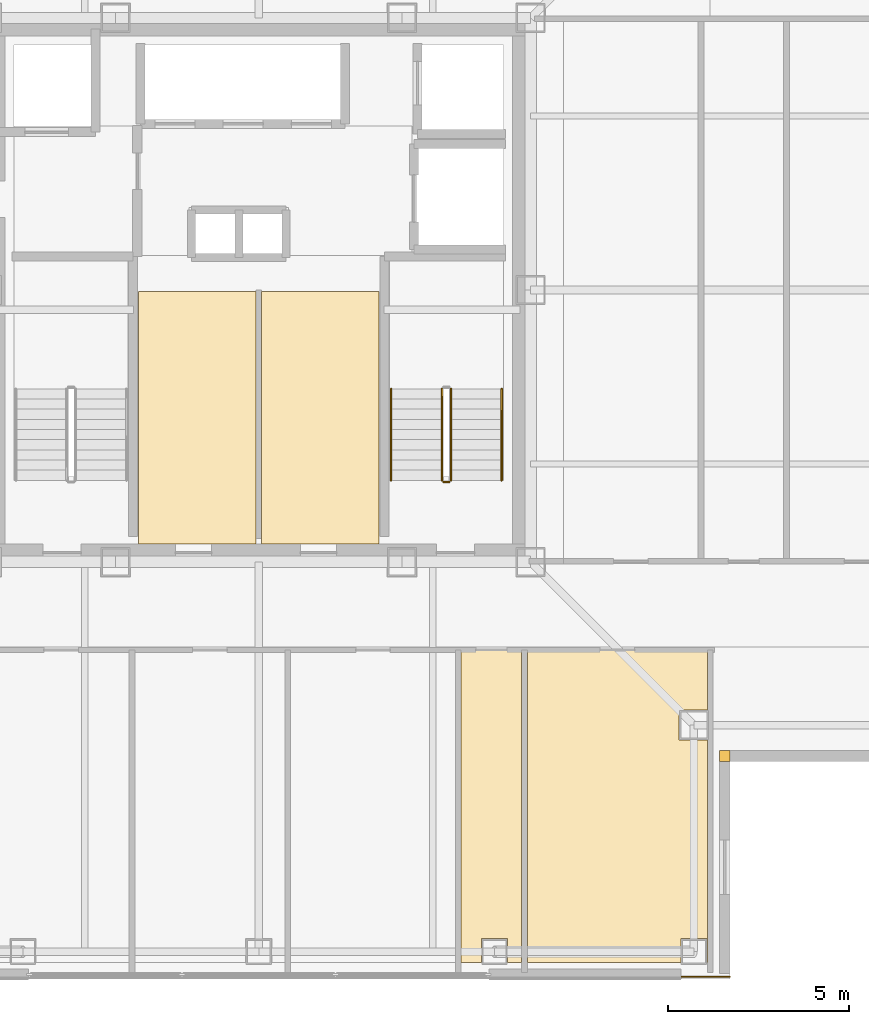
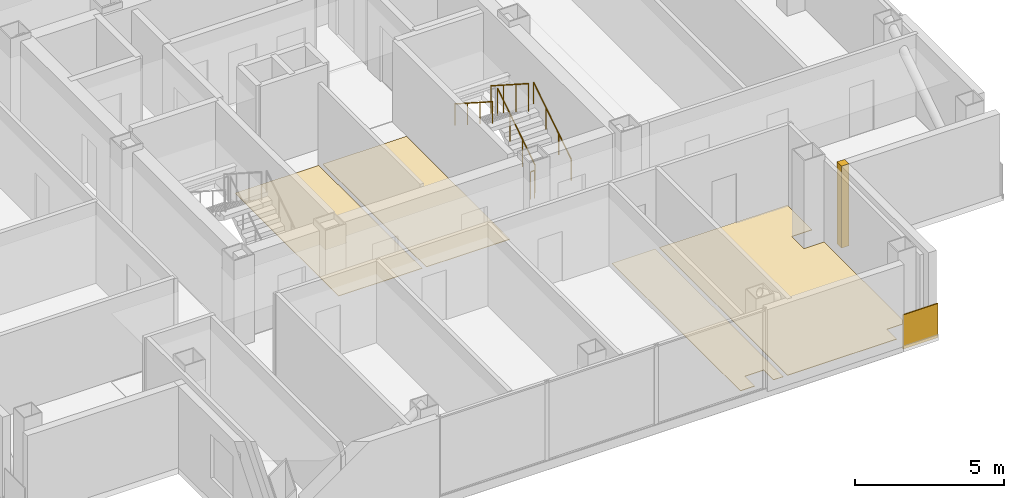
# One storey, part 12 of 16: 6 coverings, 5 railings.
"""IFC4 building model written with IfcOpenShell, lengths in metres."""

import ifcopenshell
import ifcopenshell.guid

model = None  # the IFC model being written
_history = None  # IfcOwnerHistory: only IFC2X3 demands one
_inside = {}  # id of a spatial element -> (the spatial element, [elements in it])
_under = {}  # id of a project, library or spatial element -> (it, [spatial elements below it])
_declared = {}  # id of a project -> (the project, [libraries it declares])
_typed = {}  # id of a type object -> (the type object, [elements of that type])
_made_of = {}  # id of a material, layer set ... -> (it, [elements and type objects made of it])


def new_model(schema):
    """Start an empty IFC model of exactly this schema.

    Asked for "IFC4X3", IfcOpenShell would pick the latest addendum, in which some entities
    have other attributes; the version numbers below select the first issue.
    IFC2X3 requires an IfcOwnerHistory on every rooted entity: one is made here for all.
    """
    global model, _history
    if schema == "IFC4X3":
        model = ifcopenshell.file(schema_version=(4, 3, 0, 0))
    else:
        model = ifcopenshell.file(schema=schema)
    _inside.clear()
    _under.clear()
    _declared.clear()
    _typed.clear()
    _made_of.clear()
    _history = None
    if model.schema == "IFC2X3":
        org = make("IfcOrganization", Name="unknown")
        user = make(
            "IfcPersonAndOrganization",
            ThePerson=make("IfcPerson", FamilyName="unknown"),
            TheOrganization=org,
        )
        app = make(
            "IfcApplication",
            ApplicationDeveloper=org,
            Version="unknown",
            ApplicationFullName="unknown",
            ApplicationIdentifier="unknown",
        )
        _history = make(
            "IfcOwnerHistory",
            OwningUser=user,
            OwningApplication=app,
            ChangeAction="ADDED",
            CreationDate=0,
        )
    return model


def make(cls, **values):
    """One entity of the class cls with the attributes given. An attribute that is None is left unset."""
    return model.create_entity(
        cls, **{name: value for name, value in values.items() if value is not None}
    )


def rooted(cls, **values):
    """An entity with a GlobalId (a new one), such as an element, a storey or a relation."""
    return make(cls, GlobalId=ifcopenshell.guid.new(), OwnerHistory=_history, **values)


def si_unit(unit_type, name, prefix=None):
    """IfcSIUnit, for example si_unit("LENGTHUNIT", "METRE", prefix="MILLI")."""
    return make("IfcSIUnit", UnitType=unit_type, Prefix=prefix, Name=name)


def assignment(units):
    """IfcUnitAssignment: the units of a project."""
    return None if units is None else make("IfcUnitAssignment", Units=units)


def point(xyz):
    """IfcCartesianPoint."""
    return None if xyz is None else make("IfcCartesianPoint", Coordinates=xyz)


def direction(xyz):
    """IfcDirection."""
    return None if xyz is None else make("IfcDirection", DirectionRatios=xyz)


def frame(location, z_axis=None, x_axis=None):
    """IfcAxis2Placement3D, a coordinate frame: its origin and axes. An axis left out is left unset."""
    return make(
        "IfcAxis2Placement3D",
        Location=point(location),
        Axis=direction(z_axis),
        RefDirection=direction(x_axis),
    )


def frame_2d(location, x_axis=None):
    """IfcAxis2Placement2D, a coordinate frame in the plane: its origin and x axis."""
    return make(
        "IfcAxis2Placement2D", Location=point(location), RefDirection=direction(x_axis)
    )


def origin():
    """The frame at (0, 0, 0) with its axes left unset."""
    return frame((0.0, 0.0, 0.0))


def origin_2d():
    """The frame at (0, 0) in the plane with its x axis left unset."""
    return frame_2d((0.0, 0.0))


def place(relative_to, where):
    """IfcLocalPlacement: puts the frame where relative to a parent placement (None: the world)."""
    return make(
        "IfcLocalPlacement", PlacementRelTo=relative_to, RelativePlacement=where
    )


def context(
    kind, dimensions, precision=None, world=None, true_north=None, identifier=None
):
    """IfcGeometricRepresentationContext, for example the 3D "Model" context."""
    return make(
        "IfcGeometricRepresentationContext",
        ContextIdentifier=identifier,
        ContextType=kind,
        CoordinateSpaceDimension=dimensions,
        Precision=precision,
        WorldCoordinateSystem=world,
        TrueNorth=true_north,
    )


def subcontext(parent, identifier, kind, view, scale=None):
    """IfcGeometricRepresentationSubContext, for example "Body" below "Model"."""
    return make(
        "IfcGeometricRepresentationSubContext",
        ContextIdentifier=identifier,
        ContextType=kind,
        ParentContext=parent,
        TargetScale=scale,
        TargetView=view,
    )


def project(units=None, contexts=None):
    """IfcProject with its units and contexts."""
    return rooted(
        "IfcProject",
        Name="project",
        RepresentationContexts=contexts,
        UnitsInContext=assignment(units),
    )


def spatial(cls, under=None, at=None, **own):
    """A site, building, storey or space (cls), placed at a placement, below another one or the project."""
    s = rooted(cls, ObjectPlacement=at, **own)
    if under is not None:
        _under.setdefault(under.id(), (under, []))[1].append(s)
    return s


def polyline(points):
    """IfcPolyline through the points."""
    return make("IfcPolyline", Points=[point(p) for p in points])


def profile(cls, at=None, kind="AREA", **sizes):
    """A parametric profile (cls). Its sizes go by their IFC names, for example OverallWidth=200.0."""
    return make(cls, ProfileType=kind, Position=at, **sizes)


def rectangle(**sizes):
    """IfcRectangleProfileDef."""
    return profile("IfcRectangleProfileDef", **sizes)


def circle(**sizes):
    """IfcCircleProfileDef."""
    return profile("IfcCircleProfileDef", **sizes)


def outline(outer, holes=None, kind="AREA"):
    """IfcArbitraryClosedProfileDef: a profile drawn as a closed curve; with holes, ...WithVoids."""
    if holes is None:
        return make("IfcArbitraryClosedProfileDef", ProfileType=kind, OuterCurve=outer)
    return make(
        "IfcArbitraryProfileDefWithVoids",
        ProfileType=kind,
        OuterCurve=outer,
        InnerCurves=holes,
    )


def extrude(swept, where, along, depth):
    """IfcExtrudedAreaSolid: the profile swept, set in the frame where, extruded along a direction by depth."""
    return make(
        "IfcExtrudedAreaSolid",
        SweptArea=swept,
        Position=where,
        ExtrudedDirection=direction(along),
        Depth=depth,
    )


def shape(context_of_items, identifier, shape_type, items):
    """IfcShapeRepresentation: the items that make up one representation, for example the "Body"."""
    return make(
        "IfcShapeRepresentation",
        ContextOfItems=context_of_items,
        RepresentationIdentifier=identifier,
        RepresentationType=shape_type,
        Items=items,
    )


def material(Name=None, Category=None):
    """IfcMaterial."""
    return make("IfcMaterial", Name=Name, Category=Category)


def layer(
    of_material, thickness, ventilated=None, Name=None, Category=None, Priority=None
):
    """IfcMaterialLayer: one layer of a wall or slab, of a material (None: an air gap)."""
    return make(
        "IfcMaterialLayer",
        Material=of_material,
        LayerThickness=thickness,
        IsVentilated=ventilated,
        Name=Name,
        Category=Category,
        Priority=Priority,
    )


def layer_set(layers, Name=None):
    """IfcMaterialLayerSet."""
    return make("IfcMaterialLayerSet", MaterialLayers=layers, LayerSetName=Name)


def made_of(thing, what):
    """Note that an element or type object is made of a material, layer set ...; save() writes the relation."""
    if what is not None:
        _made_of.setdefault(what.id(), (what, []))[1].append(thing)
    return thing


def type_object(cls, material=None, **own):
    """A type object (cls), such as IfcWallType, which elements share."""
    return made_of(rooted(cls, **own), material)


def element(
    cls,
    number,
    at=None,
    inside=None,
    cuts=None,
    type_object=None,
    material=None,
    context=None,
    identifier="Body",
    shape_type=None,
    held_by="IfcProductDefinitionShape",
    body=None,
    shapes=None,
    **own,
):
    """One element of the class cls, such as IfcWall. Its Tag is "e" and its number.

    at: its placement. inside: the storey or other place that contains it. cuts: it is an
    opening in that element (IfcRelVoidsElement). A single representation is given by context,
    identifier, shape_type and body (its items); several are given by shapes. held_by: the class
    of the entity that holds the representations. save() writes the other relations.
    """
    e = rooted(cls, Tag="e%d" % number, ObjectPlacement=at, **own)
    if body is not None:
        shapes = [shape(context, identifier, shape_type, body)]
    if shapes is not None:
        e.Representation = make(held_by, Representations=shapes)
    if inside is not None:
        _inside.setdefault(inside.id(), (inside, []))[1].append(e)
    if cuts is not None:
        rooted(
            "IfcRelVoidsElement", RelatingBuildingElement=cuts, RelatedOpeningElement=e
        )
    if type_object is not None:
        _typed.setdefault(type_object.id(), (type_object, []))[1].append(e)
    return made_of(e, material)


def aggregate(whole, parts):
    """IfcRelAggregates: a whole, such as a stair, and the parts it consists of."""
    return rooted("IfcRelAggregates", RelatingObject=whole, RelatedObjects=parts)


def save(model, path):
    """Write the relations noted so far, then the file.

    IfcRelAggregates (storeys below a building ...), IfcRelContainedInSpatialStructure (elements
    in a storey), IfcRelDefinesByType, IfcRelAssociatesMaterial and IfcRelDeclares: one each for
    every whole, place, type object, material and project.
    """
    for whole, parts in _under.values():
        aggregate(whole, parts)
    for where, things in _inside.values():
        rooted(
            "IfcRelContainedInSpatialStructure",
            RelatedElements=things,
            RelatingStructure=where,
        )
    for kind, things in _typed.values():
        rooted("IfcRelDefinesByType", RelatedObjects=things, RelatingType=kind)
    for what, things in _made_of.values():
        rooted("IfcRelAssociatesMaterial", RelatedObjects=things, RelatingMaterial=what)
    for by, libraries in _declared.values():
        rooted("IfcRelDeclares", RelatingContext=by, RelatedDefinitions=libraries)
    model.write(path)


model = new_model("IFC4")

# Units and contexts
model_context = context("Model", 3, precision=1e-05, world=origin(), true_north=direction((0.0, 1.0)))
body_context = subcontext(model_context, "Body", "Model", "MODEL_VIEW")
ifc_project = project(units=[si_unit("LENGTHUNIT", "METRE"), si_unit("AREAUNIT", "SQUARE_METRE"), si_unit("VOLUMEUNIT", "CUBIC_METRE"), si_unit("PLANEANGLEUNIT", "RADIAN"), si_unit("MASSUNIT", "GRAM", prefix="KILO")], contexts=[model_context])

# Site, building, storey
site_placement = place(None, origin())
site = spatial("IfcSite", under=ifc_project, at=site_placement, CompositionType="ELEMENT")
building_placement = place(site_placement, origin())
building = spatial("IfcBuilding", under=site, at=building_placement, Name="Trevonay Congress Spire", CompositionType="ELEMENT")
storey_placement = place(building_placement, frame((0.0, 0.0, 290.0)))
storey = spatial("IfcBuildingStorey", under=building, at=storey_placement, Name="L76", CompositionType="ELEMENT", Elevation=290.0)

# Coverings
ifc_material_1 = material(Name="Polished Granite Floor Tile", Category="masonry")
ifc_layer_1 = layer(ifc_material_1, 0.02001953125, Name="Polished Granite Floor Tile")
ifc_layer_set_1 = layer_set([ifc_layer_1], Name="Polished Granite Floor Tile")
covering_type_1 = type_object("IfcCoveringType", Name="COV-FLOOR-STONE", PredefinedType="FLOORING", material=ifc_layer_set_1)
covering_1_placement = place(storey_placement, origin())
element("IfcCovering", 1, at=covering_1_placement, inside=storey, type_object=covering_type_1, Name="L76 Core Server and IT Hub floor finish", PredefinedType="FLOORING", context=body_context, shape_type="SweptSolid", body=[
    extrude(outline(polyline([(-3.320068359375, -7.0), (-0.080078125, -7.0), (-0.080078125, -0.050048828125), (-3.320068359375, -0.050048828125), (-3.320068359375, -7.0)])), origin(), (0.0, 0.0, 1.0), 0.02001953125),
])
covering_2_placement = place(storey_placement, origin())
element("IfcCovering", 2, at=covering_2_placement, inside=storey, type_object=covering_type_1, Name="L76 Core Document Archive Room floor finish", PredefinedType="FLOORING", context=body_context, shape_type="SweptSolid", body=[
    extrude(outline(polyline([(0.080078125, -7.0), (3.320068359375, -7.0), (3.320068359375, -0.050048828125), (0.080078125, -0.050048828125), (0.080078125, -7.0)])), origin(), (0.0, 0.0, 1.0), 0.02001953125),
])
covering_3_placement = place(storey_placement, origin())
element("IfcCovering", 3, at=covering_3_placement, inside=storey, type_object=covering_type_1, Name="L76 Accessible WC floor finish", PredefinedType="FLOORING", context=body_context, shape_type="SweptSolid", body=[
    extrude(outline(polyline([(5.580078125, -18.550048828125), (5.580078125, -9.929931640625), (7.25, -9.929931640625), (7.25, -18.550048828125), (6.860107421875, -18.550048828125), (6.860107421875, -17.889892578125), (6.139892578125, -17.889892578125), (6.139892578125, -18.550048828125), (5.580078125, -18.550048828125)])), origin(), (0.0, 0.0, 1.0), 0.02001953125),
])
covering_4_placement = place(storey_placement, origin())
element("IfcCovering", 4, at=covering_4_placement, inside=storey, type_object=covering_type_1, Name="L76 Floor Supplies and Copy Room floor finish", PredefinedType="FLOORING", context=body_context, shape_type="SweptSolid", body=[
    extrude(outline(polyline([(7.409912109375, -18.550048828125), (7.409912109375, -9.929931640625), (12.3701171875, -9.929931640625), (12.3701171875, -11.590087890625), (11.590087890625, -11.590087890625), (11.590087890625, -12.409912109375), (12.3701171875, -12.409912109375), (12.3701171875, -18.550048828125), (12.360107421875, -18.550048828125), (12.360107421875, -17.889892578125), (11.639892578125, -17.889892578125), (11.639892578125, -18.550048828125), (7.409912109375, -18.550048828125)])), origin(), (0.0, 0.0, 1.0), 0.02001953125),
])
ifc_material_2 = material(Name="Pale Anodised Aluminium EN AW-6063-T6", Category="aluminium")
ifc_layer_2 = layer(ifc_material_2, 0.0400390625, Name="Pale Anodised Aluminium EN AW-6063-T6")
ifc_layer_set_2 = layer_set([ifc_layer_2], Name="Pale Anodised Aluminium EN AW-6063-T6")
covering_type_2 = type_object("IfcCoveringType", Name="COV-SPANDREL-PALE-METAL", PredefinedType="CLADDING", material=ifc_layer_set_2)
covering_5_placement = place(storey_placement, origin())
element("IfcCovering", 5, at=covering_5_placement, inside=storey, type_object=covering_type_2, Name="L76 SE re-entrant notch corner closure trim", PredefinedType="CLADDING", context=body_context, shape_type="SweptSolid", body=[
    extrude(outline(polyline([(12.699951171875, -13.0), (13.0, -13.0), (13.0, -12.699951171875), (12.699951171875, -12.699951171875), (12.699951171875, -13.0)])), origin(), (0.0, 0.0, 1.0), 3.360107421875),
])
covering_6_placement = place(storey_placement, frame((11.64990234375, -18.93994140625, -0.14990234375), z_axis=(0.0, 0.0, 1.0), x_axis=(1.0, 0.0, 0.0)))
element("IfcCovering", 6, at=covering_6_placement, inside=storey, type_object=covering_type_2, Name="L76 SE corner pier spandrel cladding 2", PredefinedType="CLADDING", context=body_context, shape_type="SweptSolid", body=[
    extrude(rectangle(XDim=1.35009765625, YDim=0.0400390625, at=frame_2d((0.675048828125, 0.0))), origin(), (0.0, 0.0, 1.0), 1.39990234375),
])

# Railings
railing_type_1 = type_object("IfcRailingType", Name="RAL-STAIR-GUARD-110", PredefinedType="GUARDRAIL", material=ifc_material_2)
railing_1_placement = place(storey_placement, frame((5.300048828125, -5.25, 0.179931640625)))
element("IfcRailing", 7, at=railing_1_placement, inside=storey, type_object=railing_type_1, Name="L76 ST-2 stair guard 1", PredefinedType="GUARDRAIL", context=body_context, shape_type="SweptSolid", body=[
    extrude(circle(Radius=0.02392578125, at=origin_2d()), frame((0.0, 0.0, 1.1259765625), z_axis=(0.0, 0.841162588446, 0.540782303519), x_axis=(-1.0, 0.0, 0.0)), (0.0, 0.0, 1.0), 2.995849609375),
    extrude(circle(Radius=0.02099609375, at=origin_2d()), origin(), (0.0, 0.0, 1.0), 1.101806640625),
    extrude(circle(Radius=0.02099609375, at=origin_2d()), frame((0.0, 0.840087890625, 0.5400390625)), (0.0, 0.0, 1.0), 1.101806640625),
    extrude(circle(Radius=0.02099609375, at=origin_2d()), frame((0.0, 1.679931640625, 1.080078125)), (0.0, 0.0, 1.0), 1.101806640625),
    extrude(circle(Radius=0.02099609375, at=origin_2d()), frame((0.0, 2.52001953125, 1.6201171875)), (0.0, 0.0, 1.0), 1.101806640625),
])
railing_2_placement = place(storey_placement, frame((5.050048828125, -2.72998046875, 1.97998046875)))
element("IfcRailing", 8, at=railing_2_placement, inside=storey, type_object=railing_type_1, Name="L76 ST-2 stair guard 3", PredefinedType="GUARDRAIL", context=body_context, shape_type="SweptSolid", body=[
    extrude(circle(Radius=0.02392578125, at=origin_2d()), frame((0.0, 0.0, 1.1259765625), z_axis=(0.0, -0.841162588446, 0.540782303519), x_axis=(1.0, 0.0, 0.0)), (0.0, 0.0, 1.0), 2.995849609375),
    extrude(circle(Radius=0.02099609375, at=origin_2d()), origin(), (0.0, 0.0, 1.0), 1.101806640625),
    extrude(circle(Radius=0.02099609375, at=origin_2d()), frame((0.0, -0.840087890625, 0.5400390625)), (0.0, 0.0, 1.0), 1.101806640625),
    extrude(circle(Radius=0.02099609375, at=origin_2d()), frame((0.0, -1.679931640625, 1.080078125)), (0.0, 0.0, 1.0), 1.101806640625),
    extrude(circle(Radius=0.02099609375, at=origin_2d()), frame((0.0, -2.52001953125, 1.6201171875)), (0.0, 0.0, 1.0), 1.101806640625),
])
railing_3_placement = place(storey_placement, frame((5.25, -5.300048828125, 0.0)))
element("IfcRailing", 9, at=railing_3_placement, inside=storey, type_object=railing_type_1, Name="L76 ST-2 stair guard 4", PredefinedType="GUARDRAIL", context=body_context, shape_type="SweptSolid", body=[
    extrude(circle(Radius=0.02392578125, at=origin_2d()), frame((0.0, 0.0, 1.1259765625), z_axis=(-1.0, 0.0, 0.0), x_axis=(0.0, -1.0, 0.0)), (0.0, 0.0, 1.0), 0.14990234375),
    extrude(circle(Radius=0.02099609375, at=origin_2d()), origin(), (0.0, 0.0, 1.0), 1.101806640625),
    extrude(circle(Radius=0.02099609375, at=origin_2d()), frame((-0.14990234375, 0.0, 0.0)), (0.0, 0.0, 1.0), 1.101806640625),
])
railing_type_2 = type_object("IfcRailingType", Name="RAL-STAIR-HANDRAIL", PredefinedType="HANDRAIL", material=ifc_material_2)
railing_4_placement = place(storey_placement, frame((6.699951171875, -5.25, 0.179931640625)))
element("IfcRailing", 10, at=railing_4_placement, inside=storey, type_object=railing_type_2, Name="L76 ST-2 stair handrail 1", PredefinedType="HANDRAIL", context=body_context, shape_type="SweptSolid", body=[
    extrude(circle(Radius=0.02392578125, at=origin_2d()), frame((0.0, 0.0, 0.8759765625), z_axis=(0.0, 0.841162588446, 0.540782303519), x_axis=(-1.0, 0.0, 0.0)), (0.0, 0.0, 1.0), 2.995849609375),
    extrude(circle(Radius=0.02099609375, at=origin_2d()), origin(), (0.0, 0.0, 1.0), 0.851806640625),
    extrude(circle(Radius=0.02099609375, at=origin_2d()), frame((0.0, 0.840087890625, 0.5400390625)), (0.0, 0.0, 1.0), 0.851806640625),
    extrude(circle(Radius=0.02099609375, at=origin_2d()), frame((0.0, 1.679931640625, 1.080078125)), (0.0, 0.0, 1.0), 0.851806640625),
    extrude(circle(Radius=0.02099609375, at=origin_2d()), frame((0.0, 2.52001953125, 1.6201171875)), (0.0, 0.0, 1.0), 0.851806640625),
])
railing_5_placement = place(storey_placement, frame((3.64990234375, -2.72998046875, 1.97998046875)))
element("IfcRailing", 11, at=railing_5_placement, inside=storey, type_object=railing_type_2, Name="L76 ST-2 stair handrail 2", PredefinedType="HANDRAIL", context=body_context, shape_type="SweptSolid", body=[
    extrude(circle(Radius=0.02392578125, at=origin_2d()), frame((0.0, 0.0, 0.8759765625), z_axis=(0.0, -0.841162588446, 0.540782303519), x_axis=(1.0, 0.0, 0.0)), (0.0, 0.0, 1.0), 2.995849609375),
    extrude(circle(Radius=0.02099609375, at=origin_2d()), origin(), (0.0, 0.0, 1.0), 0.851806640625),
    extrude(circle(Radius=0.02099609375, at=origin_2d()), frame((0.0, -0.840087890625, 0.5400390625)), (0.0, 0.0, 1.0), 0.851806640625),
    extrude(circle(Radius=0.02099609375, at=origin_2d()), frame((0.0, -1.679931640625, 1.080078125)), (0.0, 0.0, 1.0), 0.851806640625),
    extrude(circle(Radius=0.02099609375, at=origin_2d()), frame((0.0, -2.52001953125, 1.6201171875)), (0.0, 0.0, 1.0), 0.851806640625),
])

save(model, "model.ifc")
